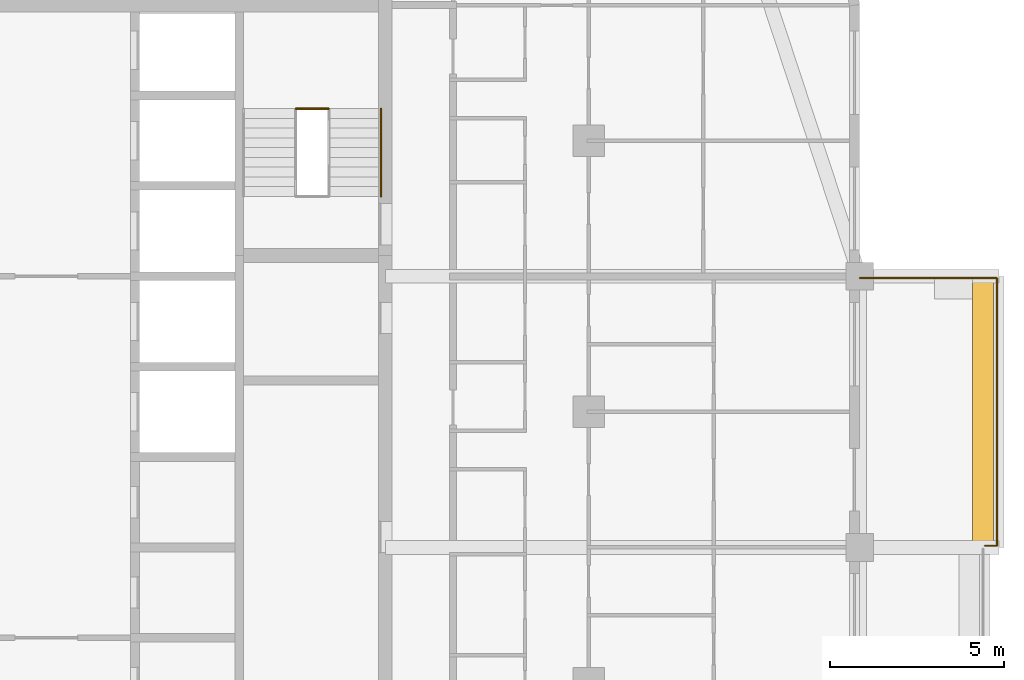
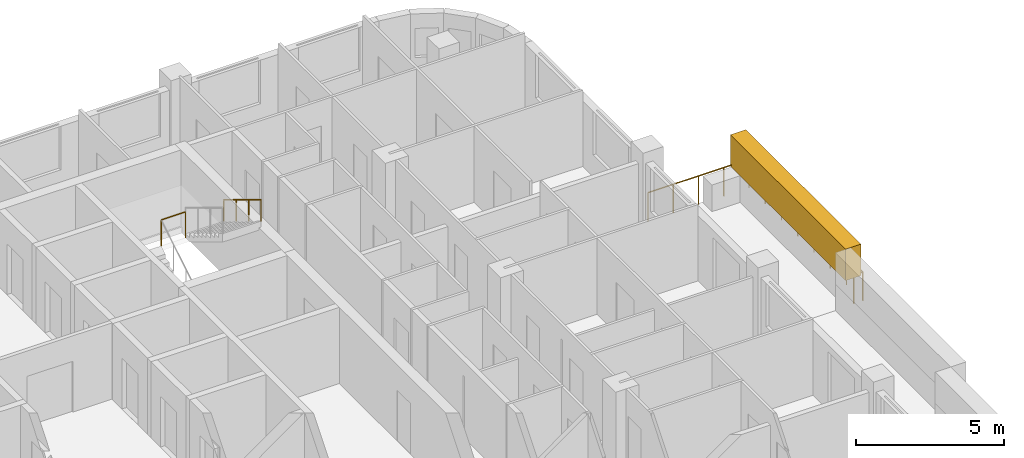
# One storey, part 16 of 16: 3 railings, 1 covering, 1 element without a shape of its own.
"""IFC4 building model written with IfcOpenShell, lengths in metres."""

from ifc_helpers import new_model, si_unit, direction, frame, origin, origin_2d, place, context, subcontext, project, spatial, rectangle, circle, extrude, material, layer, layer_set, type_object, element, aggregate, save


model = new_model("IFC4")

# Units and contexts
model_context = context("Model", 3, precision=1e-05, world=origin(), true_north=direction((0.0, 1.0)))
body_context = subcontext(model_context, "Body", "Model", "MODEL_VIEW")
ifc_project = project(units=[si_unit("LENGTHUNIT", "METRE"), si_unit("AREAUNIT", "SQUARE_METRE"), si_unit("VOLUMEUNIT", "CUBIC_METRE"), si_unit("PLANEANGLEUNIT", "RADIAN"), si_unit("MASSUNIT", "GRAM", prefix="KILO")], contexts=[model_context])

# Site, building, storey
site_placement = place(None, origin())
site = spatial("IfcSite", under=ifc_project, at=site_placement, CompositionType="ELEMENT")
building_placement = place(site_placement, origin())
building = spatial("IfcBuilding", under=site, at=building_placement, Name="Ludao Terraces", CompositionType="ELEMENT")
storey_placement = place(building_placement, frame((0.0, 0.0, 224.5)))
storey = spatial("IfcBuildingStorey", under=building, at=storey_placement, Name="L61", CompositionType="ELEMENT", Elevation=224.5)

# Railing
ifc_material_1 = material(Name="Stainless steel 304", Category="steel")
railing_type_1 = type_object("IfcRailingType", Name="ENV Balcony glass guard 1200", PredefinedType="GUARDRAIL", material=ifc_material_1)
railing_1_placement = place(storey_placement, frame((112.0, 68.949951171875, 0.0)))
element("IfcRailing", 1, at=railing_1_placement, inside=storey, type_object=railing_type_1, Name="Balcony guard L61 E3", PredefinedType="GUARDRAIL", context=body_context, shape_type="SweptSolid", body=[
    extrude(circle(Radius=0.02392578125, at=origin_2d()), frame((0.0, 0.0, 1.17578125), z_axis=(1.0, 0.0, 0.0), x_axis=(0.0, 1.0, 0.0)), (0.0, 0.0, 1.0), 0.35009765625),
    extrude(circle(Radius=0.02392578125, at=origin_2d()), frame((0.35009765625, 0.0, 1.17578125), z_axis=(0.0, 1.0, 0.0), x_axis=(-1.0, 0.0, 0.0)), (0.0, 0.0, 1.0), 7.699951171875),
    extrude(circle(Radius=0.02392578125, at=origin_2d()), frame((0.35009765625, 7.699951171875, 1.17578125), z_axis=(-1.0, 0.0, 0.0), x_axis=(0.0, -1.0, 0.0)), (0.0, 0.0, 1.0), 3.9501953125),
    extrude(circle(Radius=0.02099609375, at=origin_2d()), origin(), (0.0, 0.0, 1.0), 1.15185546875),
    extrude(circle(Radius=0.02099609375, at=origin_2d()), frame((0.35009765625, 0.0, 0.0)), (0.0, 0.0, 1.0), 1.15185546875),
    extrude(circle(Radius=0.02099609375, at=origin_2d()), frame((0.35009765625, 1.10009765625, 0.0)), (0.0, 0.0, 1.0), 1.15185546875),
    extrude(circle(Radius=0.02099609375, at=origin_2d()), frame((0.35009765625, 2.199951171875, 0.0)), (0.0, 0.0, 1.0), 1.15185546875),
    extrude(circle(Radius=0.02099609375, at=origin_2d()), frame((0.35009765625, 3.300048828125, 0.0)), (0.0, 0.0, 1.0), 1.15185546875),
    extrude(circle(Radius=0.02099609375, at=origin_2d()), frame((0.35009765625, 4.39990234375, 0.0)), (0.0, 0.0, 1.0), 1.15185546875),
    extrude(circle(Radius=0.02099609375, at=origin_2d()), frame((0.35009765625, 5.5, 0.0)), (0.0, 0.0, 1.0), 1.15185546875),
    extrude(circle(Radius=0.02099609375, at=origin_2d()), frame((0.35009765625, 6.599853515625, 0.0)), (0.0, 0.0, 1.0), 1.15185546875),
    extrude(circle(Radius=0.02099609375, at=origin_2d()), frame((0.35009765625, 7.699951171875, 0.0)), (0.0, 0.0, 1.0), 1.15185546875),
    extrude(circle(Radius=0.02099609375, at=origin_2d()), frame((-0.637451171875, 7.699951171875, 0.0)), (0.0, 0.0, 1.0), 1.15185546875),
    extrude(circle(Radius=0.02099609375, at=origin_2d()), frame((-1.625, 7.699951171875, 0.0)), (0.0, 0.0, 1.0), 1.15185546875),
    extrude(circle(Radius=0.02099609375, at=origin_2d()), frame((-2.612548828125, 7.699951171875, 0.0)), (0.0, 0.0, 1.0), 1.15185546875),
    extrude(circle(Radius=0.02099609375, at=origin_2d()), frame((-3.60009765625, 7.699951171875, 0.0)), (0.0, 0.0, 1.0), 1.15185546875),
])

# Covering
ifc_material_2 = material(Name="Planting")
ifc_layer = layer(ifc_material_2, 0.60009765625)
ifc_layer_set = layer_set([ifc_layer], Name="ENV Planting hedge 600x1300")
covering_type = type_object("IfcCoveringType", Name="ENV Planting hedge 600x1300", PredefinedType="USERDEFINED", material=ifc_layer_set)
covering_placement = place(storey_placement, frame((111.949951171875, 72.800048828125, 1.10009765625), z_axis=(0.0, 0.0, 1.0), x_axis=(1.0, 0.0, 0.0)))
element("IfcCovering", 2, at=covering_placement, inside=storey, type_object=covering_type, Name="Planting hedge L61-E3", ObjectType="PLANTING", PredefinedType="USERDEFINED", context=body_context, shape_type="SweptSolid", body=[
    extrude(rectangle(XDim=0.60009765625, YDim=7.800048828125, at=origin_2d()), origin(), (0.0, 0.0, 1.0), 1.300048828125),
])

# Stair, railings
ifc_material_3 = material(Name="Concrete C40", Category="concrete")
stair_type = type_object("IfcStairType", Name="INT Stair", PredefinedType="HALF_TURN_STAIR", material=ifc_material_3)
stair_placement = place(storey_placement, origin())
stair = element("IfcStair", 3, at=stair_placement, inside=storey, type_object=stair_type, Name="EXIT STAIR 2", PredefinedType="HALF_TURN_STAIR")
railing_type_2 = type_object("IfcRailingType", Name="INT Stair guard 1100", PredefinedType="GUARDRAIL", material=ifc_material_1)
railing_2_placement = place(storey_placement, frame((92.175048828125, 81.52001953125, 1.699951171875)))
railing_2 = element("IfcRailing", 4, at=railing_2_placement, type_object=railing_type_2, Name="ST-L61-S2-E1G", PredefinedType="GUARDRAIL", context=body_context, shape_type="SweptSolid", body=[
    extrude(circle(Radius=0.02392578125, at=origin_2d()), frame((0.0, 0.0, 1.076171875), z_axis=(1.0, 0.0, 0.0), x_axis=(0.0, 1.0, 0.0)), (0.0, 0.0, 1.0), 0.949951171875),
    extrude(circle(Radius=0.02099609375, at=origin_2d()), origin(), (0.0, 0.0, 1.0), 1.052001953125),
    extrude(circle(Radius=0.02099609375, at=origin_2d()), frame((0.949951171875, 0.0, 0.0)), (0.0, 0.0, 1.0), 1.052001953125),
])
railing_type_3 = type_object("IfcRailingType", Name="INT Stair handrail 900", PredefinedType="HANDRAIL", material=ifc_material_1)
railing_3_placement = place(storey_placement, frame((94.625, 81.52001953125, 1.8701171875)))
railing_3 = element("IfcRailing", 5, at=railing_3_placement, type_object=railing_type_3, Name="ST-L61-S2-R2H", PredefinedType="HANDRAIL", context=body_context, shape_type="SweptSolid", body=[
    extrude(circle(Radius=0.02392578125, at=origin_2d()), frame((0.0, 0.0, 0.8759765625), z_axis=(0.0, -0.854821627497, 0.518921945155), x_axis=(1.0, 0.0, 0.0)), (0.0, 0.0, 1.0), 2.947998046875),
    extrude(circle(Radius=0.02099609375, at=origin_2d()), origin(), (0.0, 0.0, 1.0), 0.851806640625),
    extrude(circle(Radius=0.02099609375, at=origin_2d()), frame((0.0, -0.840087890625, 0.510009765625)), (0.0, 0.0, 1.0), 0.851806640625),
    extrude(circle(Radius=0.02099609375, at=origin_2d()), frame((0.0, -1.679931640625, 1.019775390625)), (0.0, 0.0, 1.0), 0.851806640625),
    extrude(circle(Radius=0.02099609375, at=origin_2d()), frame((0.0, -2.52001953125, 1.52978515625)), (0.0, 0.0, 1.0), 0.851806640625),
])
aggregate(stair, [railing_3, railing_2])

save(model, "model.ifc")
